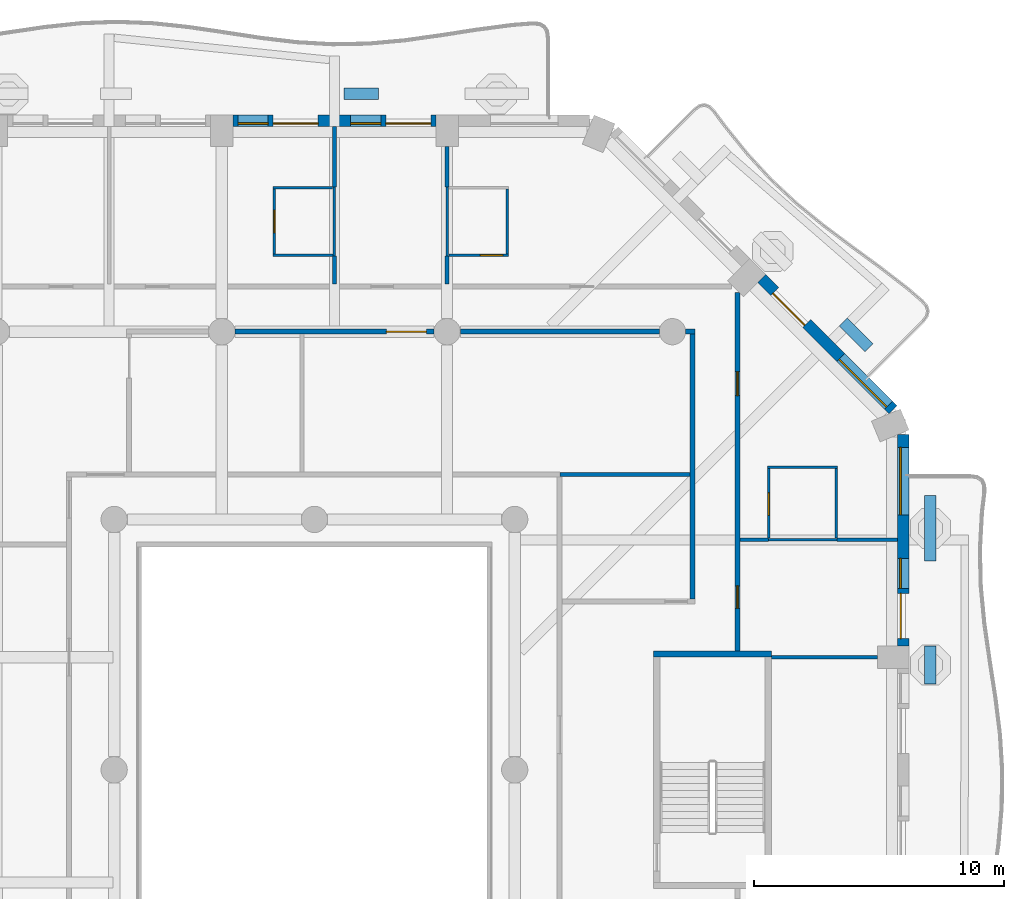
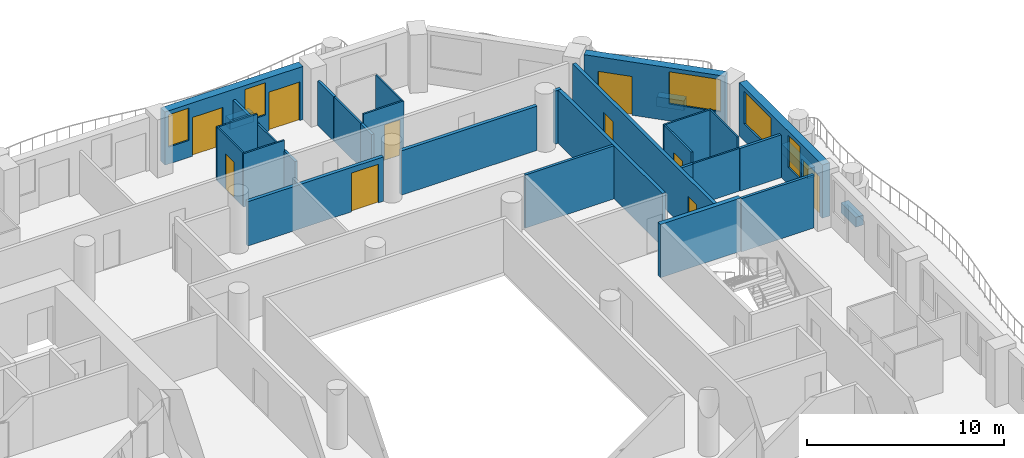
# One storey, part 9 of 20: 32 walls, 10 doors, 5 windows, 15 openings.
"""IFC4 building model written with IfcOpenShell, lengths in metres."""

import ifcopenshell
import ifcopenshell.guid

model = None  # the IFC model being written
_history = None  # IfcOwnerHistory: only IFC2X3 demands one
_inside = {}  # id of a spatial element -> (the spatial element, [elements in it])
_under = {}  # id of a project, library or spatial element -> (it, [spatial elements below it])
_declared = {}  # id of a project -> (the project, [libraries it declares])
_typed = {}  # id of a type object -> (the type object, [elements of that type])
_made_of = {}  # id of a material, layer set ... -> (it, [elements and type objects made of it])


def new_model(schema):
    """Start an empty IFC model of exactly this schema.

    Asked for "IFC4X3", IfcOpenShell would pick the latest addendum, in which some entities
    have other attributes; the version numbers below select the first issue.
    IFC2X3 requires an IfcOwnerHistory on every rooted entity: one is made here for all.
    """
    global model, _history
    if schema == "IFC4X3":
        model = ifcopenshell.file(schema_version=(4, 3, 0, 0))
    else:
        model = ifcopenshell.file(schema=schema)
    _inside.clear()
    _under.clear()
    _declared.clear()
    _typed.clear()
    _made_of.clear()
    _history = None
    if model.schema == "IFC2X3":
        org = make("IfcOrganization", Name="unknown")
        user = make(
            "IfcPersonAndOrganization",
            ThePerson=make("IfcPerson", FamilyName="unknown"),
            TheOrganization=org,
        )
        app = make(
            "IfcApplication",
            ApplicationDeveloper=org,
            Version="unknown",
            ApplicationFullName="unknown",
            ApplicationIdentifier="unknown",
        )
        _history = make(
            "IfcOwnerHistory",
            OwningUser=user,
            OwningApplication=app,
            ChangeAction="ADDED",
            CreationDate=0,
        )
    return model


def make(cls, **values):
    """One entity of the class cls with the attributes given. An attribute that is None is left unset."""
    return model.create_entity(
        cls, **{name: value for name, value in values.items() if value is not None}
    )


def rooted(cls, **values):
    """An entity with a GlobalId (a new one), such as an element, a storey or a relation."""
    return make(cls, GlobalId=ifcopenshell.guid.new(), OwnerHistory=_history, **values)


def si_unit(unit_type, name, prefix=None):
    """IfcSIUnit, for example si_unit("LENGTHUNIT", "METRE", prefix="MILLI")."""
    return make("IfcSIUnit", UnitType=unit_type, Prefix=prefix, Name=name)


def assignment(units):
    """IfcUnitAssignment: the units of a project."""
    return None if units is None else make("IfcUnitAssignment", Units=units)


def point(xyz):
    """IfcCartesianPoint."""
    return None if xyz is None else make("IfcCartesianPoint", Coordinates=xyz)


def direction(xyz):
    """IfcDirection."""
    return None if xyz is None else make("IfcDirection", DirectionRatios=xyz)


def frame(location, z_axis=None, x_axis=None):
    """IfcAxis2Placement3D, a coordinate frame: its origin and axes. An axis left out is left unset."""
    return make(
        "IfcAxis2Placement3D",
        Location=point(location),
        Axis=direction(z_axis),
        RefDirection=direction(x_axis),
    )


def frame_2d(location, x_axis=None):
    """IfcAxis2Placement2D, a coordinate frame in the plane: its origin and x axis."""
    return make(
        "IfcAxis2Placement2D", Location=point(location), RefDirection=direction(x_axis)
    )


def origin():
    """The frame at (0, 0, 0) with its axes left unset."""
    return frame((0.0, 0.0, 0.0))


def place(relative_to, where):
    """IfcLocalPlacement: puts the frame where relative to a parent placement (None: the world)."""
    return make(
        "IfcLocalPlacement", PlacementRelTo=relative_to, RelativePlacement=where
    )


def context(
    kind, dimensions, precision=None, world=None, true_north=None, identifier=None
):
    """IfcGeometricRepresentationContext, for example the 3D "Model" context."""
    return make(
        "IfcGeometricRepresentationContext",
        ContextIdentifier=identifier,
        ContextType=kind,
        CoordinateSpaceDimension=dimensions,
        Precision=precision,
        WorldCoordinateSystem=world,
        TrueNorth=true_north,
    )


def subcontext(parent, identifier, kind, view, scale=None):
    """IfcGeometricRepresentationSubContext, for example "Body" below "Model"."""
    return make(
        "IfcGeometricRepresentationSubContext",
        ContextIdentifier=identifier,
        ContextType=kind,
        ParentContext=parent,
        TargetScale=scale,
        TargetView=view,
    )


def project(units=None, contexts=None):
    """IfcProject with its units and contexts."""
    return rooted(
        "IfcProject",
        Name="project",
        RepresentationContexts=contexts,
        UnitsInContext=assignment(units),
    )


def spatial(cls, under=None, at=None, **own):
    """A site, building, storey or space (cls), placed at a placement, below another one or the project."""
    s = rooted(cls, ObjectPlacement=at, **own)
    if under is not None:
        _under.setdefault(under.id(), (under, []))[1].append(s)
    return s


def profile(cls, at=None, kind="AREA", **sizes):
    """A parametric profile (cls). Its sizes go by their IFC names, for example OverallWidth=200.0."""
    return make(cls, ProfileType=kind, Position=at, **sizes)


def rectangle(**sizes):
    """IfcRectangleProfileDef."""
    return profile("IfcRectangleProfileDef", **sizes)


def extrude(swept, where, along, depth):
    """IfcExtrudedAreaSolid: the profile swept, set in the frame where, extruded along a direction by depth."""
    return make(
        "IfcExtrudedAreaSolid",
        SweptArea=swept,
        Position=where,
        ExtrudedDirection=direction(along),
        Depth=depth,
    )


def shape(context_of_items, identifier, shape_type, items):
    """IfcShapeRepresentation: the items that make up one representation, for example the "Body"."""
    return make(
        "IfcShapeRepresentation",
        ContextOfItems=context_of_items,
        RepresentationIdentifier=identifier,
        RepresentationType=shape_type,
        Items=items,
    )


def material(Name=None, Category=None):
    """IfcMaterial."""
    return make("IfcMaterial", Name=Name, Category=Category)


def layer(
    of_material, thickness, ventilated=None, Name=None, Category=None, Priority=None
):
    """IfcMaterialLayer: one layer of a wall or slab, of a material (None: an air gap)."""
    return make(
        "IfcMaterialLayer",
        Material=of_material,
        LayerThickness=thickness,
        IsVentilated=ventilated,
        Name=Name,
        Category=Category,
        Priority=Priority,
    )


def layer_set(layers, Name=None):
    """IfcMaterialLayerSet."""
    return make("IfcMaterialLayerSet", MaterialLayers=layers, LayerSetName=Name)


def made_of(thing, what):
    """Note that an element or type object is made of a material, layer set ...; save() writes the relation."""
    if what is not None:
        _made_of.setdefault(what.id(), (what, []))[1].append(thing)
    return thing


def type_object(cls, material=None, **own):
    """A type object (cls), such as IfcWallType, which elements share."""
    return made_of(rooted(cls, **own), material)


def element(
    cls,
    number,
    at=None,
    inside=None,
    cuts=None,
    type_object=None,
    material=None,
    context=None,
    identifier="Body",
    shape_type=None,
    held_by="IfcProductDefinitionShape",
    body=None,
    shapes=None,
    **own,
):
    """One element of the class cls, such as IfcWall. Its Tag is "e" and its number.

    at: its placement. inside: the storey or other place that contains it. cuts: it is an
    opening in that element (IfcRelVoidsElement). A single representation is given by context,
    identifier, shape_type and body (its items); several are given by shapes. held_by: the class
    of the entity that holds the representations. save() writes the other relations.
    """
    e = rooted(cls, Tag="e%d" % number, ObjectPlacement=at, **own)
    if body is not None:
        shapes = [shape(context, identifier, shape_type, body)]
    if shapes is not None:
        e.Representation = make(held_by, Representations=shapes)
    if inside is not None:
        _inside.setdefault(inside.id(), (inside, []))[1].append(e)
    if cuts is not None:
        rooted(
            "IfcRelVoidsElement", RelatingBuildingElement=cuts, RelatedOpeningElement=e
        )
    if type_object is not None:
        _typed.setdefault(type_object.id(), (type_object, []))[1].append(e)
    return made_of(e, material)


def fill(opening, filler):
    """IfcRelFillsElement: the door or window that sits in an opening."""
    return rooted(
        "IfcRelFillsElement",
        RelatingOpeningElement=opening,
        RelatedBuildingElement=filler,
    )


def aggregate(whole, parts):
    """IfcRelAggregates: a whole, such as a stair, and the parts it consists of."""
    return rooted("IfcRelAggregates", RelatingObject=whole, RelatedObjects=parts)


def save(model, path):
    """Write the relations noted so far, then the file.

    IfcRelAggregates (storeys below a building ...), IfcRelContainedInSpatialStructure (elements
    in a storey), IfcRelDefinesByType, IfcRelAssociatesMaterial and IfcRelDeclares: one each for
    every whole, place, type object, material and project.
    """
    for whole, parts in _under.values():
        aggregate(whole, parts)
    for where, things in _inside.values():
        rooted(
            "IfcRelContainedInSpatialStructure",
            RelatedElements=things,
            RelatingStructure=where,
        )
    for kind, things in _typed.values():
        rooted("IfcRelDefinesByType", RelatedObjects=things, RelatingType=kind)
    for what, things in _made_of.values():
        rooted("IfcRelAssociatesMaterial", RelatedObjects=things, RelatingMaterial=what)
    for by, libraries in _declared.values():
        rooted("IfcRelDeclares", RelatingContext=by, RelatedDefinitions=libraries)
    model.write(path)


model = new_model("IFC4")

# Units and contexts
model_context = context("Model", 3, precision=1e-05, world=origin(), true_north=direction((0.0, 1.0)))
body_context = subcontext(model_context, "Body", "Model", "MODEL_VIEW")
ifc_project = project(units=[si_unit("LENGTHUNIT", "METRE"), si_unit("AREAUNIT", "SQUARE_METRE"), si_unit("VOLUMEUNIT", "CUBIC_METRE"), si_unit("PLANEANGLEUNIT", "RADIAN"), si_unit("MASSUNIT", "GRAM", prefix="KILO")], contexts=[model_context])

# Site, building, storey
site_placement = place(None, origin())
site = spatial("IfcSite", under=ifc_project, at=site_placement, CompositionType="ELEMENT")
building_placement = place(site_placement, origin())
building = spatial("IfcBuilding", under=site, at=building_placement, Name="Cypress Arch Tower", CompositionType="ELEMENT")
storey_placement = place(building_placement, frame((0.0, 0.0, 120.300048828125)))
storey = spatial("IfcBuildingStorey", under=building, at=storey_placement, Name="L25", CompositionType="ELEMENT", Elevation=120.300048828125)

# Walls
ifc_material_1 = material(Name="Concrete C40/50, waterproofed", Category="concrete")
ifc_layer_1 = layer(ifc_material_1, 0.449951171875)
ifc_layer_set_1 = layer_set([ifc_layer_1], Name="Balcony planter wall PW450")
wall_type_1 = type_object("IfcWallType", Name="Balcony planter wall PW450", PredefinedType="SOLIDWALL", material=ifc_layer_set_1)
wall_1_placement = place(storey_placement, frame((25.60009765625, 3.42138671875, 0.0), z_axis=(0.0, 0.0, 1.0), x_axis=(0.0, 1.0, 0.0)))
element("IfcWall", 1, at=wall_1_placement, inside=storey, type_object=wall_type_1, Name="Balcony planter wall L25-A06.3", PredefinedType="SOLIDWALL", context=body_context, shape_type="SweptSolid", body=[
    extrude(rectangle(XDim=1.5224609375, YDim=0.449951171875, at=frame_2d((0.76123046875, 0.0))), origin(), (0.0, 0.0, 1.0), 0.599853515625),
])
wall_2_placement = place(storey_placement, frame((25.60009765625, 8.335693359375, 0.0), z_axis=(0.0, 0.0, 1.0), x_axis=(0.0, 1.0, 0.0)))
element("IfcWall", 2, at=wall_2_placement, inside=storey, type_object=wall_type_1, Name="Balcony planter wall L25-A06.4", PredefinedType="SOLIDWALL", context=body_context, shape_type="SweptSolid", body=[
    extrude(rectangle(XDim=2.6142578125, YDim=0.449951171875, at=frame_2d((1.30712890625, 0.0))), origin(), (0.0, 0.0, 1.0), 0.599853515625),
])
wall_3_placement = place(storey_placement, frame((23.150390625, 16.86376953125, 0.0), z_axis=(0.0, 0.0, 1.0), x_axis=(-0.707106781187, 0.707106781187, 0.0)))
element("IfcWall", 3, at=wall_3_placement, inside=storey, type_object=wall_type_1, Name="Balcony planter wall L25-A07.1", PredefinedType="SOLIDWALL", context=body_context, shape_type="SweptSolid", body=[
    extrude(rectangle(XDim=1.44482421875, YDim=0.449951171875, at=frame_2d((0.722412109375, 0.0))), origin(), (0.0, 0.0, 1.0), 0.599853515625),
])
wall_4_placement = place(storey_placement, frame((3.550048828125, 27.0, 0.0), z_axis=(0.0, 0.0, 1.0), x_axis=(-1.0, 0.0, 0.0)))
element("IfcWall", 4, at=wall_4_placement, inside=storey, type_object=wall_type_1, Name="Balcony planter wall L25-A08.2", PredefinedType="SOLIDWALL", context=body_context, shape_type="SweptSolid", body=[
    extrude(rectangle(XDim=1.375, YDim=0.449951171875, at=frame_2d((0.6875, 0.0))), origin(), (0.0, 0.0, 1.0), 0.599853515625),
])

# Wall, openings, door, windows
ifc_material_2 = material(Name="Brick (red buff blend)", Category="masonry")
ifc_layer_2 = layer(ifc_material_2, 0.449951171875)
ifc_layer_set_2 = layer_set([ifc_layer_2], Name="Brick pier and spandrel wall BW450")
wall_type_2 = type_object("IfcWallType", Name="Brick pier and spandrel wall BW450", PredefinedType="SOLIDWALL", material=ifc_layer_set_2)
wall_5_placement = place(storey_placement, frame((24.52490234375, 4.949951171875, 0.0), z_axis=(0.0, 0.0, 1.0), x_axis=(0.0, 1.0, 0.0)))
wall_5 = element("IfcWall", 5, at=wall_5_placement, inside=storey, type_object=wall_type_2, Name="Brick wall L25 A06.3", PredefinedType="SOLIDWALL", context=body_context, shape_type="SweptSolid", body=[
    extrude(rectangle(XDim=8.438720703125, YDim=0.449951171875, at=frame_2d((4.21923828125, 0.0))), origin(), (0.0, 0.0, 1.0), 3.300048828125),
])
opening_1_placement = place(wall_5_placement, frame((0.2939453125, 0.0, 0.0)))
opening_1 = element("IfcOpeningElement", 6, at=opening_1_placement, cuts=wall_5, Name="Opening D-L25-A06.3.1", PredefinedType="OPENING", context=body_context, shape_type="SweptSolid", body=[
    extrude(rectangle(XDim=1.800048828125, YDim=2.39990234375, at=frame_2d((0.89990234375, 1.199951171875))), frame((0.0, 0.23486328125, 0.0), z_axis=(0.0, -1.0, 0.0), x_axis=(1.0, 0.0, 0.0)), (0.0, 0.0, 1.0), 0.469970703125),
])
opening_2_placement = place(wall_5_placement, frame((2.2939453125, 0.0, 1.050048828125)))
opening_2 = element("IfcOpeningElement", 7, at=opening_2_placement, cuts=wall_5, Name="Opening W120HD", PredefinedType="OPENING", context=body_context, shape_type="SweptSolid", body=[
    extrude(rectangle(XDim=1.199951171875, YDim=2.0, at=frame_2d((0.60009765625, 1.0))), frame((0.0, 0.23486328125, 0.0), z_axis=(0.0, -1.0, 0.0), x_axis=(1.0, 0.0, 0.0)), (0.0, 0.0, 1.0), 0.469970703125),
])
opening_3_placement = place(wall_5_placement, frame((5.231689453125, 0.0, 1.050048828125)))
opening_3 = element("IfcOpeningElement", 8, at=opening_3_placement, cuts=wall_5, Name="Opening W270HD", PredefinedType="OPENING", context=body_context, shape_type="SweptSolid", body=[
    extrude(rectangle(XDim=2.699951171875, YDim=2.0, at=frame_2d((1.35009765625, 1.0))), frame((0.0, 0.23486328125, 0.0), z_axis=(0.0, -1.0, 0.0), x_axis=(1.0, 0.0, 0.0)), (0.0, 0.0, 1.0), 0.469970703125),
])
ifc_material_3 = material(Name="Anodised aluminium, bronze finish, laminated low-emissivity double glazing, large-missile impact rated", Category="aluminium")
door_type_1 = type_object("IfcDoorType", Name="Balcony sliding door 1800x2400", OperationType="SLIDING_TO_LEFT", PredefinedType="DOOR", material=ifc_material_3)
door_1_placement = place(opening_1_placement, origin())
door_1 = element("IfcDoor", 9, at=door_1_placement, inside=storey, type_object=door_type_1, Name="Balcony door L25 A06.3.1", OperationType="SLIDING_TO_LEFT", OverallHeight=2.39990234375, OverallWidth=1.800048828125, PredefinedType="DOOR", context=body_context, shape_type="SweptSolid", body=[
    extrude(rectangle(XDim=1.800048828125, YDim=2.39990234375, at=frame_2d((0.89990234375, 1.199951171875))), frame((0.0, 0.1298828125, 0.0), z_axis=(0.0, -1.0, 0.0), x_axis=(1.0, 0.0, 0.0)), (0.0, 0.0, 1.0), 0.050048828125),
])
fill(opening_1, door_1)
ifc_material_4 = material(Name="Anodised aluminium, bronze finish, laminated low-emissivity double glazing, large-missile impact rated", Category="aluminium")
window_type_1 = type_object("IfcWindowType", Name="Window Hotel 1200x2000 debris-rated", PartitioningType="SINGLE_PANEL", PredefinedType="WINDOW", material=ifc_material_4)
window_1_placement = place(opening_2_placement, origin())
window_1 = element("IfcWindow", 10, at=window_1_placement, inside=storey, type_object=window_type_1, Name="Window L25 A06.3.1", OverallHeight=2.0, OverallWidth=1.199951171875, PartitioningType="SINGLE_PANEL", PredefinedType="WINDOW", context=body_context, shape_type="SweptSolid", body=[
    extrude(rectangle(XDim=1.199951171875, YDim=2.0, at=frame_2d((0.60009765625, 1.0))), frame((0.0, 0.135009765625, 0.0), z_axis=(0.0, -1.0, 0.0), x_axis=(1.0, 0.0, 0.0)), (0.0, 0.0, 1.0), 0.06005859375),
])
fill(opening_2, window_1)
ifc_material_5 = material(Name="Anodised aluminium, bronze finish, laminated low-emissivity double glazing, large-missile impact rated", Category="aluminium")
window_type_2 = type_object("IfcWindowType", Name="Window Hotel 2700x2000 debris-rated", PartitioningType="SINGLE_PANEL", PredefinedType="WINDOW", material=ifc_material_5)
window_2_placement = place(opening_3_placement, origin())
window_2 = element("IfcWindow", 11, at=window_2_placement, inside=storey, type_object=window_type_2, Name="Window L25 A06.3.2", OverallHeight=2.0, OverallWidth=2.699951171875, PartitioningType="SINGLE_PANEL", PredefinedType="WINDOW", context=body_context, shape_type="SweptSolid", body=[
    extrude(rectangle(XDim=2.699951171875, YDim=2.0, at=frame_2d((1.35009765625, 1.0))), frame((0.0, 0.135009765625, 0.0), z_axis=(0.0, -1.0, 0.0), x_axis=(1.0, 0.0, 0.0)), (0.0, 0.0, 1.0), 0.06005859375),
])
fill(opening_3, window_2)

# Wall, openings, door, window
wall_6_placement = place(storey_placement, frame((24.11474609375, 14.379150390625, 0.0), z_axis=(0.0, 0.0, 1.0), x_axis=(-0.707106781187, 0.707106781187, 0.0)))
wall_6 = element("IfcWall", 12, at=wall_6_placement, inside=storey, type_object=wall_type_2, Name="Brick wall L25 A07.0", PredefinedType="SOLIDWALL", context=body_context, shape_type="SweptSolid", body=[
    extrude(rectangle(XDim=7.423828125, YDim=0.449951171875, at=frame_2d((3.7119140625, 0.0))), origin(), (0.0, 0.0, 1.0), 3.300048828125),
])
opening_4_placement = place(wall_6_placement, frame((0.253173828125, 0.0, 1.050048828125)))
opening_4 = element("IfcOpeningElement", 13, at=opening_4_placement, cuts=wall_6, Name="Opening W270HD", PredefinedType="OPENING", context=body_context, shape_type="SweptSolid", body=[
    extrude(rectangle(XDim=2.699951171875, YDim=2.0, at=frame_2d((1.35009765625, 1.0))), frame((0.0, 0.23486328125, 0.0), z_axis=(0.0, -1.0, 0.0), x_axis=(1.0, 0.0, 0.0)), (0.0, 0.0, 1.0), 0.469970703125),
])
opening_5_placement = place(wall_6_placement, frame((4.8837890625, 0.0, 0.0)))
opening_5 = element("IfcOpeningElement", 14, at=opening_5_placement, cuts=wall_6, Name="Opening D-L25-A07.0.2", PredefinedType="OPENING", context=body_context, shape_type="SweptSolid", body=[
    extrude(rectangle(XDim=1.800048828125, YDim=2.39990234375, at=frame_2d((0.89990234375, 1.199951171875))), frame((0.0, 0.23486328125, 0.0), z_axis=(0.0, -1.0, 0.0), x_axis=(1.0, 0.0, 0.0)), (0.0, 0.0, 1.0), 0.469970703125),
])
door_2_placement = place(opening_5_placement, origin())
door_2 = element("IfcDoor", 15, at=door_2_placement, inside=storey, type_object=door_type_1, Name="Balcony door L25 A07.0.2", OperationType="SLIDING_TO_LEFT", OverallHeight=2.39990234375, OverallWidth=1.800048828125, PredefinedType="DOOR", context=body_context, shape_type="SweptSolid", body=[
    extrude(rectangle(XDim=1.800048828125, YDim=2.39990234375, at=frame_2d((0.89990234375, 1.199951171875))), frame((0.0, 0.1298828125, 0.0), z_axis=(0.0, -1.0, 0.0), x_axis=(1.0, 0.0, 0.0)), (0.0, 0.0, 1.0), 0.050048828125),
])
fill(opening_5, door_2)
window_3_placement = place(opening_4_placement, origin())
window_3 = element("IfcWindow", 16, at=window_3_placement, inside=storey, type_object=window_type_2, Name="Window L25 A07.0.1", OverallHeight=2.0, OverallWidth=2.699951171875, PartitioningType="SINGLE_PANEL", PredefinedType="WINDOW", context=body_context, shape_type="SweptSolid", body=[
    extrude(rectangle(XDim=2.699951171875, YDim=2.0, at=frame_2d((1.35009765625, 1.0))), frame((0.0, 0.135009765625, 0.0), z_axis=(0.0, -1.0, 0.0), x_axis=(1.0, 0.0, 0.0)), (0.0, 0.0, 1.0), 0.06005859375),
])
fill(opening_4, window_3)

# Wall, openings, doors, windows
wall_7_placement = place(storey_placement, frame((5.85009765625, 25.925048828125, 0.0), z_axis=(0.0, 0.0, 1.0), x_axis=(-1.0, 0.0, 0.0)))
wall_7 = element("IfcWall", 17, at=wall_7_placement, inside=storey, type_object=wall_type_2, Name="Brick wall L25 A08.1", PredefinedType="SOLIDWALL", context=body_context, shape_type="SweptSolid", body=[
    extrude(rectangle(XDim=8.10009765625, YDim=0.449951171875, at=frame_2d((4.050048828125, 0.0))), origin(), (0.0, 0.0, 1.0), 3.300048828125),
])
opening_6_placement = place(wall_7_placement, frame((0.199951171875, 0.0, 0.0)))
opening_6 = element("IfcOpeningElement", 18, at=opening_6_placement, cuts=wall_7, Name="Opening D-L25-A08.1.1", PredefinedType="OPENING", context=body_context, shape_type="SweptSolid", body=[
    extrude(rectangle(XDim=1.800048828125, YDim=2.39990234375, at=frame_2d((0.89990234375, 1.199951171875))), frame((0.0, 0.23486328125, 0.0), z_axis=(0.0, -1.0, 0.0), x_axis=(1.0, 0.0, 0.0)), (0.0, 0.0, 1.0), 0.469970703125),
])
opening_7_placement = place(wall_7_placement, frame((2.199951171875, 0.0, 1.050048828125)))
opening_7 = element("IfcOpeningElement", 19, at=opening_7_placement, cuts=wall_7, Name="Opening W120HD", PredefinedType="OPENING", context=body_context, shape_type="SweptSolid", body=[
    extrude(rectangle(XDim=1.199951171875, YDim=2.0, at=frame_2d((0.60009765625, 1.0))), frame((0.0, 0.23486328125, 0.0), z_axis=(0.0, -1.0, 0.0), x_axis=(1.0, 0.0, 0.0)), (0.0, 0.0, 1.0), 0.469970703125),
])
opening_8_placement = place(wall_7_placement, frame((4.699951171875, 0.0, 0.0)))
opening_8 = element("IfcOpeningElement", 20, at=opening_8_placement, cuts=wall_7, Name="Opening D-L25-A08.1.2", PredefinedType="OPENING", context=body_context, shape_type="SweptSolid", body=[
    extrude(rectangle(XDim=1.800048828125, YDim=2.39990234375, at=frame_2d((0.89990234375, 1.199951171875))), frame((0.0, 0.23486328125, 0.0), z_axis=(0.0, -1.0, 0.0), x_axis=(1.0, 0.0, 0.0)), (0.0, 0.0, 1.0), 0.469970703125),
])
opening_9_placement = place(wall_7_placement, frame((6.699951171875, 0.0, 1.050048828125)))
opening_9 = element("IfcOpeningElement", 21, at=opening_9_placement, cuts=wall_7, Name="Opening W120HD", PredefinedType="OPENING", context=body_context, shape_type="SweptSolid", body=[
    extrude(rectangle(XDim=1.199951171875, YDim=2.0, at=frame_2d((0.60009765625, 1.0))), frame((0.0, 0.23486328125, 0.0), z_axis=(0.0, -1.0, 0.0), x_axis=(1.0, 0.0, 0.0)), (0.0, 0.0, 1.0), 0.469970703125),
])
door_3_placement = place(opening_6_placement, origin())
door_3 = element("IfcDoor", 22, at=door_3_placement, inside=storey, type_object=door_type_1, Name="Balcony door L25 A08.1.1", OperationType="SLIDING_TO_LEFT", OverallHeight=2.39990234375, OverallWidth=1.800048828125, PredefinedType="DOOR", context=body_context, shape_type="SweptSolid", body=[
    extrude(rectangle(XDim=1.800048828125, YDim=2.39990234375, at=frame_2d((0.89990234375, 1.199951171875))), frame((0.0, 0.1298828125, 0.0), z_axis=(0.0, -1.0, 0.0), x_axis=(1.0, 0.0, 0.0)), (0.0, 0.0, 1.0), 0.050048828125),
])
fill(opening_6, door_3)
door_4_placement = place(opening_8_placement, origin())
door_4 = element("IfcDoor", 23, at=door_4_placement, inside=storey, type_object=door_type_1, Name="Balcony door L25 A08.1.2", OperationType="SLIDING_TO_LEFT", OverallHeight=2.39990234375, OverallWidth=1.800048828125, PredefinedType="DOOR", context=body_context, shape_type="SweptSolid", body=[
    extrude(rectangle(XDim=1.800048828125, YDim=2.39990234375, at=frame_2d((0.89990234375, 1.199951171875))), frame((0.0, 0.1298828125, 0.0), z_axis=(0.0, -1.0, 0.0), x_axis=(1.0, 0.0, 0.0)), (0.0, 0.0, 1.0), 0.050048828125),
])
fill(opening_8, door_4)
window_4_placement = place(opening_7_placement, origin())
window_4 = element("IfcWindow", 24, at=window_4_placement, inside=storey, type_object=window_type_1, Name="Window L25 A08.1.1", OverallHeight=2.0, OverallWidth=1.199951171875, PartitioningType="SINGLE_PANEL", PredefinedType="WINDOW", context=body_context, shape_type="SweptSolid", body=[
    extrude(rectangle(XDim=1.199951171875, YDim=2.0, at=frame_2d((0.60009765625, 1.0))), frame((0.0, 0.135009765625, 0.0), z_axis=(0.0, -1.0, 0.0), x_axis=(1.0, 0.0, 0.0)), (0.0, 0.0, 1.0), 0.06005859375),
])
fill(opening_7, window_4)
window_5_placement = place(opening_9_placement, origin())
window_5 = element("IfcWindow", 25, at=window_5_placement, inside=storey, type_object=window_type_1, Name="Window L25 A08.1.2", OverallHeight=2.0, OverallWidth=1.199951171875, PartitioningType="SINGLE_PANEL", PredefinedType="WINDOW", context=body_context, shape_type="SweptSolid", body=[
    extrude(rectangle(XDim=1.199951171875, YDim=2.0, at=frame_2d((0.60009765625, 1.0))), frame((0.0, 0.135009765625, 0.0), z_axis=(0.0, -1.0, 0.0), x_axis=(1.0, 0.0, 0.0)), (0.0, 0.0, 1.0), 0.06005859375),
])
fill(opening_9, window_5)

# Wall, opening, door
ifc_material_6 = material(Name="Concrete blockwork, plastered, rated", Category="masonry")
ifc_layer_3 = layer(ifc_material_6, 0.199951171875)
ifc_layer_set_3 = layer_set([ifc_layer_3], Name="Corridor wall FW200")
wall_type_3 = type_object("IfcWallType", Name="Corridor wall FW200", PredefinedType="PARTITIONING", material=ifc_layer_set_3)
wall_8_placement = place(storey_placement, frame((-2.175048828125, 17.5, 0.0), z_axis=(0.0, 0.0, 1.0), x_axis=(1.0, 0.0, 0.0)))
wall_8 = element("IfcWall", 26, at=wall_8_placement, inside=storey, type_object=wall_type_3, Name="Corridor wall", PredefinedType="PARTITIONING", context=body_context, shape_type="SweptSolid", body=[
    extrude(rectangle(XDim=7.949951171875, YDim=0.199951171875, at=frame_2d((3.97509765625, 0.0))), origin(), (0.0, 0.0, 1.0), 2.75),
])
opening_10_placement = place(wall_8_placement, frame((6.050048828125, 0.0, 0.0)))
opening_10 = element("IfcOpeningElement", 27, at=opening_10_placement, cuts=wall_8, Name="Opening D10", PredefinedType="OPENING", context=body_context, shape_type="SweptSolid", body=[
    extrude(rectangle(XDim=1.60009765625, YDim=2.39990234375, at=frame_2d((0.800048828125, 1.199951171875))), frame((0.0, 0.10986328125, 0.0), z_axis=(0.0, -1.0, 0.0), x_axis=(1.0, 0.0, 0.0)), (0.0, 0.0, 1.0), 0.219970703125),
])
ifc_material_7 = material(Name="Black aluminium glazed door", Category="aluminium")
door_type_2 = type_object("IfcDoorType", Name="Amenity door D10 1600x2400", OperationType="DOUBLE_DOOR_SINGLE_SWING", PredefinedType="DOOR", material=ifc_material_7)
door_5_placement = place(opening_10_placement, origin())
door_5 = element("IfcDoor", 28, at=door_5_placement, inside=storey, type_object=door_type_2, Name="Amenity door", OperationType="DOUBLE_DOOR_SINGLE_SWING", OverallHeight=2.39990234375, OverallWidth=1.60009765625, PredefinedType="DOOR", context=body_context, shape_type="SweptSolid", body=[
    extrude(rectangle(XDim=1.60009765625, YDim=2.39990234375, at=frame_2d((0.800048828125, 1.199951171875))), frame((0.0, 0.02490234375, 0.0), z_axis=(0.0, -1.0, 0.0), x_axis=(1.0, 0.0, 0.0)), (0.0, 0.0, 1.0), 0.050048828125),
])
fill(opening_10, door_5)

# Walls
wall_9_placement = place(storey_placement, frame((6.824951171875, 17.5, 0.0), z_axis=(0.0, 0.0, 1.0), x_axis=(1.0, 0.0, 0.0)))
element("IfcWall", 29, at=wall_9_placement, inside=storey, type_object=wall_type_3, Name="Corridor wall", PredefinedType="PARTITIONING", context=body_context, shape_type="SweptSolid", body=[
    extrude(rectangle(XDim=7.949951171875, YDim=0.199951171875, at=frame_2d((3.97509765625, 0.0))), origin(), (0.0, 0.0, 1.0), 2.75),
])
wall_10_placement = place(storey_placement, frame((15.824951171875, 17.5, 0.0), z_axis=(0.0, 0.0, 1.0), x_axis=(1.0, 0.0, 0.0)))
element("IfcWall", 30, at=wall_10_placement, inside=storey, type_object=wall_type_3, Name="Corridor wall", PredefinedType="PARTITIONING", context=body_context, shape_type="SweptSolid", body=[
    extrude(rectangle(XDim=0.375, YDim=0.199951171875, at=frame_2d((0.1875, 0.0))), origin(), (0.0, 0.0, 1.0), 3.300048828125),
])
wall_11_placement = place(storey_placement, frame((16.10009765625, 6.824951171875, 0.0), z_axis=(0.0, 0.0, 1.0), x_axis=(0.0, 1.0, 0.0)))
element("IfcWall", 31, at=wall_11_placement, inside=storey, type_object=wall_type_3, Name="Corridor wall", PredefinedType="PARTITIONING", context=body_context, shape_type="SweptSolid", body=[
    extrude(rectangle(XDim=10.574951171875, YDim=0.199951171875, at=frame_2d((5.28759765625, 0.0))), origin(), (0.0, 0.0, 1.0), 3.300048828125),
])

# Wall, openings, doors
wall_12_placement = place(storey_placement, frame((17.89990234375, 4.75, 0.0), z_axis=(0.0, 0.0, 1.0), x_axis=(0.0, 1.0, 0.0)))
wall_12 = element("IfcWall", 32, at=wall_12_placement, inside=storey, type_object=wall_type_3, Name="Corridor wall", PredefinedType="PARTITIONING", context=body_context, shape_type="SweptSolid", body=[
    extrude(rectangle(XDim=14.314453125, YDim=0.199951171875, at=frame_2d((7.1572265625, 0.0))), origin(), (0.0, 0.0, 1.0), 3.300048828125),
])
opening_11_placement = place(wall_12_placement, frame((1.699951171875, 0.0, 0.0)))
opening_11 = element("IfcOpeningElement", 33, at=opening_11_placement, cuts=wall_12, Name="Opening D05", PredefinedType="OPENING", context=body_context, shape_type="SweptSolid", body=[
    extrude(rectangle(XDim=0.89990234375, YDim=2.199951171875, at=frame_2d((0.449951171875, 1.10009765625))), frame((0.0, 0.10986328125, 0.0), z_axis=(0.0, -1.0, 0.0), x_axis=(1.0, 0.0, 0.0)), (0.0, 0.0, 1.0), 0.219970703125),
])
opening_12_placement = place(wall_12_placement, frame((10.199951171875, 0.0, 0.0)))
opening_12 = element("IfcOpeningElement", 34, at=opening_12_placement, cuts=wall_12, Name="Opening D02", PredefinedType="OPENING", context=body_context, shape_type="SweptSolid", body=[
    extrude(rectangle(XDim=0.949951171875, YDim=2.199951171875, at=frame_2d((0.47509765625, 1.10009765625))), frame((0.0, 0.10986328125, 0.0), z_axis=(0.0, -1.0, 0.0), x_axis=(1.0, 0.0, 0.0)), (0.0, 0.0, 1.0), 0.219970703125),
])
ifc_material_8 = material(Name="Timber flush door, fire resisting", Category="wood")
door_type_3 = type_object("IfcDoorType", Name="Room door D02 950x2200", OperationType="SINGLE_SWING_LEFT", PredefinedType="DOOR", material=ifc_material_8)
door_6_placement = place(opening_12_placement, origin())
door_6 = element("IfcDoor", 35, at=door_6_placement, inside=storey, type_object=door_type_3, Name="Room door", OperationType="SINGLE_SWING_LEFT", OverallHeight=2.199951171875, OverallWidth=0.949951171875, PredefinedType="DOOR", context=body_context, shape_type="SweptSolid", body=[
    extrude(rectangle(XDim=0.949951171875, YDim=2.199951171875, at=frame_2d((0.47509765625, 1.10009765625))), frame((0.0, 0.02490234375, 0.0), z_axis=(0.0, -1.0, 0.0), x_axis=(1.0, 0.0, 0.0)), (0.0, 0.0, 1.0), 0.050048828125),
])
fill(opening_12, door_6)
ifc_material_9 = material(Name="Timber flush door", Category="wood")
door_type_4 = type_object("IfcDoorType", Name="Service door D05 900x2200", OperationType="SINGLE_SWING_LEFT", PredefinedType="DOOR", material=ifc_material_9)
door_7_placement = place(opening_11_placement, origin())
door_7 = element("IfcDoor", 36, at=door_7_placement, inside=storey, type_object=door_type_4, Name="Service door", OperationType="SINGLE_SWING_RIGHT", OverallHeight=2.199951171875, OverallWidth=0.89990234375, PredefinedType="DOOR", context=body_context, shape_type="SweptSolid", body=[
    extrude(rectangle(XDim=0.89990234375, YDim=2.199951171875, at=frame_2d((0.449951171875, 1.10009765625))), frame((0.0, 0.02490234375, 0.0), z_axis=(0.0, -1.0, 0.0), x_axis=(1.0, 0.0, 0.0)), (0.0, 0.0, 1.0), 0.050048828125),
])
fill(opening_11, door_7)

# Walls
ifc_material_10 = material(Name="Blockwork, plastered both sides", Category="masonry")
ifc_layer_4 = layer(ifc_material_10, 0.14990234375)
ifc_layer_set_4 = layer_set([ifc_layer_4], Name="Partition PW150")
wall_type_4 = type_object("IfcWallType", Name="Partition PW150", PredefinedType="PARTITIONING", material=ifc_layer_set_4)
wall_13_placement = place(storey_placement, frame((1.800048828125, 19.39990234375, 0.0), z_axis=(0.0, 0.0, 1.0), x_axis=(0.0, 1.0, 0.0)))
element("IfcWall", 37, at=wall_13_placement, inside=storey, type_object=wall_type_4, Name="Partition", PredefinedType="PARTITIONING", context=body_context, shape_type="SweptSolid", body=[
    extrude(rectangle(XDim=1.130126953125, YDim=0.14990234375, at=frame_2d((0.56494140625, 0.0))), origin(), (0.0, 0.0, 1.0), 2.64990234375),
])
wall_14_placement = place(storey_placement, frame((1.800048828125, 23.27001953125, 0.0), z_axis=(0.0, 0.0, 1.0), x_axis=(0.0, 1.0, 0.0)))
element("IfcWall", 38, at=wall_14_placement, inside=storey, type_object=wall_type_4, Name="Partition", PredefinedType="PARTITIONING", context=body_context, shape_type="SweptSolid", body=[
    extrude(rectangle(XDim=2.429931640625, YDim=0.14990234375, at=frame_2d((1.21484375, 0.0))), origin(), (0.0, 0.0, 1.0), 2.64990234375),
])
wall_15_placement = place(storey_placement, frame((6.300048828125, 19.39990234375, 0.0), z_axis=(0.0, 0.0, 1.0), x_axis=(0.0, 1.0, 0.0)))
element("IfcWall", 39, at=wall_15_placement, inside=storey, type_object=wall_type_4, Name="Partition", PredefinedType="PARTITIONING", context=body_context, shape_type="SweptSolid", body=[
    extrude(rectangle(XDim=1.130126953125, YDim=0.14990234375, at=frame_2d((0.56494140625, 0.0))), origin(), (0.0, 0.0, 1.0), 2.75),
])
wall_16_placement = place(storey_placement, frame((6.300048828125, 23.27001953125, 0.0), z_axis=(0.0, 0.0, 1.0), x_axis=(0.0, 1.0, 0.0)))
element("IfcWall", 40, at=wall_16_placement, inside=storey, type_object=wall_type_4, Name="Partition", PredefinedType="PARTITIONING", context=body_context, shape_type="SweptSolid", body=[
    extrude(rectangle(XDim=1.6298828125, YDim=0.14990234375, at=frame_2d((0.81494140625, 0.0))), origin(), (0.0, 0.0, 1.0), 2.75),
])
wall_17_placement = place(storey_placement, frame((10.800048828125, 11.800048828125, 0.0), z_axis=(0.0, 0.0, 1.0), x_axis=(1.0, 0.0, 0.0)))
element("IfcWall", 41, at=wall_17_placement, inside=storey, type_object=wall_type_4, Name="Partition", PredefinedType="PARTITIONING", context=body_context, shape_type="SweptSolid", body=[
    extrude(rectangle(XDim=5.199951171875, YDim=0.14990234375, at=frame_2d((2.60009765625, 0.0))), origin(), (0.0, 0.0, 1.0), 3.300048828125),
])
wall_18_placement = place(storey_placement, frame((18.0, 9.18994140625, 0.0), z_axis=(0.0, 0.0, 1.0), x_axis=(1.0, 0.0, 0.0)))
element("IfcWall", 42, at=wall_18_placement, inside=storey, type_object=wall_type_4, Name="Partition", PredefinedType="PARTITIONING", context=body_context, shape_type="SweptSolid", body=[
    extrude(rectangle(XDim=1.1298828125, YDim=0.14990234375, at=frame_2d((0.56494140625, 0.0))), origin(), (0.0, 0.0, 1.0), 2.64990234375),
])
wall_19_placement = place(storey_placement, frame((19.25, 4.5, 0.0), z_axis=(0.0, 0.0, 1.0), x_axis=(1.0, 0.0, 0.0)))
element("IfcWall", 43, at=wall_19_placement, inside=storey, type_object=wall_type_4, Name="Partition", PredefinedType="PARTITIONING", context=body_context, shape_type="SweptSolid", body=[
    extrude(rectangle(XDim=4.25, YDim=0.14990234375, at=frame_2d((2.125, 0.0))), origin(), (0.0, 0.0, 1.0), 3.300048828125),
])
wall_20_placement = place(storey_placement, frame((21.8701171875, 9.18994140625, 0.0), z_axis=(0.0, 0.0, 1.0), x_axis=(1.0, 0.0, 0.0)))
element("IfcWall", 44, at=wall_20_placement, inside=storey, type_object=wall_type_4, Name="Partition", PredefinedType="PARTITIONING", context=body_context, shape_type="SweptSolid", body=[
    extrude(rectangle(XDim=2.429931640625, YDim=0.14990234375, at=frame_2d((1.21484375, 0.0))), origin(), (0.0, 0.0, 1.0), 2.64990234375),
])
ifc_material_11 = material(Name="Concrete C50/60", Category="concrete")
ifc_layer_5 = layer(ifc_material_11, 0.25)
ifc_layer_set_5 = layer_set([ifc_layer_5], Name="Stair enclosure wall SW250")
wall_type_5 = type_object("IfcWallType", Name="Stair enclosure wall SW250", PredefinedType="SHEAR", material=ifc_layer_set_5)
wall_21_placement = place(storey_placement, frame((14.550048828125, 4.625, 0.0), z_axis=(0.0, 0.0, 1.0), x_axis=(1.0, 0.0, 0.0)))
element("IfcWall", 45, at=wall_21_placement, inside=storey, type_object=wall_type_5, Name="Stair enclosure wall", PredefinedType="SHEAR", context=body_context, shape_type="SweptSolid", body=[
    extrude(rectangle(XDim=4.699951171875, YDim=0.25, at=frame_2d((2.35009765625, 0.0))), origin(), (0.0, 0.0, 1.0), 3.300048828125),
])

# Wall, opening, door
ifc_material_12 = material(Name="Moisture resistant board on steel studs, tiled", Category="steel")
ifc_layer_6 = layer(ifc_material_12, 0.10009765625)
ifc_layer_set_6 = layer_set([ifc_layer_6], Name="Wet wall PW100")
wall_type_6 = type_object("IfcWallType", Name="Wet wall PW100", PredefinedType="PARTITIONING", material=ifc_layer_set_6)
wall_22_placement = place(storey_placement, frame((-0.595947265625, 20.60009765625, 0.0), z_axis=(0.0, 0.0, 1.0), x_axis=(0.0, 1.0, 0.0)))
wall_22 = element("IfcWall", 46, at=wall_22_placement, inside=storey, type_object=wall_type_6, Name="Wet wall", PredefinedType="PARTITIONING", context=body_context, shape_type="SweptSolid", body=[
    extrude(rectangle(XDim=2.599853515625, YDim=0.10009765625, at=frame_2d((1.2998046875, 0.0))), origin(), (0.0, 0.0, 1.0), 3.300048828125),
])
opening_13_placement = place(wall_22_placement, frame((0.85009765625, 0.0, 0.0)))
opening_13 = element("IfcOpeningElement", 47, at=opening_13_placement, cuts=wall_22, Name="Opening D03", PredefinedType="OPENING", context=body_context, shape_type="SweptSolid", body=[
    extrude(rectangle(XDim=0.89990234375, YDim=2.199951171875, at=frame_2d((0.449951171875, 1.10009765625))), frame((0.0, 0.06005859375, 0.0), z_axis=(0.0, -1.0, 0.0), x_axis=(1.0, 0.0, 0.0)), (0.0, 0.0, 1.0), 0.1201171875),
])
ifc_material_13 = material(Name="Timber flush door, moisture resistant", Category="wood")
door_type_5 = type_object("IfcDoorType", Name="Bathroom door D03 900x2200", OperationType="SINGLE_SWING_LEFT", PredefinedType="DOOR", material=ifc_material_13)
door_8_placement = place(opening_13_placement, origin())
door_8 = element("IfcDoor", 48, at=door_8_placement, inside=storey, type_object=door_type_5, Name="Bathroom door", OperationType="SINGLE_SWING_LEFT", OverallHeight=2.199951171875, OverallWidth=0.89990234375, PredefinedType="DOOR", context=body_context, shape_type="SweptSolid", body=[
    extrude(rectangle(XDim=0.89990234375, YDim=2.199951171875, at=frame_2d((0.449951171875, 1.10009765625))), frame((0.0, 0.02490234375, 0.0), z_axis=(0.0, -1.0, 0.0), x_axis=(1.0, 0.0, 0.0)), (0.0, 0.0, 1.0), 0.050048828125),
])
fill(opening_13, door_8)

# Walls
wall_23_placement = place(storey_placement, frame((-0.64599609375, 20.550048828125, 0.0), z_axis=(0.0, 0.0, 1.0), x_axis=(1.0, 0.0, 0.0)))
element("IfcWall", 49, at=wall_23_placement, inside=storey, type_object=wall_type_6, Name="Wet wall", PredefinedType="PARTITIONING", context=body_context, shape_type="SweptSolid", body=[
    extrude(rectangle(XDim=2.39599609375, YDim=0.10009765625, at=frame_2d((1.197998046875, 0.0))), origin(), (0.0, 0.0, 1.0), 3.300048828125),
])
wall_24_placement = place(storey_placement, frame((-0.64599609375, 23.25, 0.0), z_axis=(0.0, 0.0, 1.0), x_axis=(1.0, 0.0, 0.0)))
element("IfcWall", 50, at=wall_24_placement, inside=storey, type_object=wall_type_6, Name="Wet wall", PredefinedType="PARTITIONING", context=body_context, shape_type="SweptSolid", body=[
    extrude(rectangle(XDim=2.37109375, YDim=0.10009765625, at=frame_2d((1.185546875, 0.0))), origin(), (0.0, 0.0, 1.0), 3.300048828125),
])
wall_25_placement = place(storey_placement, frame((1.800048828125, 20.530029296875, 0.0), z_axis=(0.0, 0.0, 1.0), x_axis=(0.0, 1.0, 0.0)))
element("IfcWall", 51, at=wall_25_placement, inside=storey, type_object=wall_type_6, Name="Wet wall", PredefinedType="PARTITIONING", context=body_context, shape_type="SweptSolid", body=[
    extrude(rectangle(XDim=2.739990234375, YDim=0.10009765625, at=frame_2d((1.3701171875, 0.0))), origin(), (0.0, 0.0, 1.0), 2.64990234375),
])
wall_26_placement = place(storey_placement, frame((6.300048828125, 20.530029296875, 0.0), z_axis=(0.0, 0.0, 1.0), x_axis=(0.0, 1.0, 0.0)))
element("IfcWall", 52, at=wall_26_placement, inside=storey, type_object=wall_type_6, Name="Wet wall", PredefinedType="PARTITIONING", context=body_context, shape_type="SweptSolid", body=[
    extrude(rectangle(XDim=2.739990234375, YDim=0.10009765625, at=frame_2d((1.3701171875, 0.0))), origin(), (0.0, 0.0, 1.0), 2.75),
])

# Wall, opening, door
wall_27_placement = place(storey_placement, frame((6.375, 20.550048828125, 0.0), z_axis=(0.0, 0.0, 1.0), x_axis=(1.0, 0.0, 0.0)))
wall_27 = element("IfcWall", 53, at=wall_27_placement, inside=storey, type_object=wall_type_6, Name="Wet wall", PredefinedType="PARTITIONING", context=body_context, shape_type="SweptSolid", body=[
    extrude(rectangle(XDim=2.37109375, YDim=0.10009765625, at=frame_2d((1.185546875, 0.0))), origin(), (0.0, 0.0, 1.0), 3.300048828125),
])
opening_14_placement = place(wall_27_placement, frame((1.25, 0.0, 0.0)))
opening_14 = element("IfcOpeningElement", 54, at=opening_14_placement, cuts=wall_27, Name="Opening D03", PredefinedType="OPENING", context=body_context, shape_type="SweptSolid", body=[
    extrude(rectangle(XDim=0.89990234375, YDim=2.199951171875, at=frame_2d((0.449951171875, 1.10009765625))), frame((0.0, 0.06005859375, 0.0), z_axis=(0.0, -1.0, 0.0), x_axis=(1.0, 0.0, 0.0)), (0.0, 0.0, 1.0), 0.1201171875),
])
door_9_placement = place(opening_14_placement, origin())
door_9 = element("IfcDoor", 55, at=door_9_placement, inside=storey, type_object=door_type_5, Name="Bathroom door", OperationType="SINGLE_SWING_RIGHT", OverallHeight=2.199951171875, OverallWidth=0.89990234375, PredefinedType="DOOR", context=body_context, shape_type="SweptSolid", body=[
    extrude(rectangle(XDim=0.89990234375, YDim=2.199951171875, at=frame_2d((0.449951171875, 1.10009765625))), frame((0.0, 0.02490234375, 0.0), z_axis=(0.0, -1.0, 0.0), x_axis=(1.0, 0.0, 0.0)), (0.0, 0.0, 1.0), 0.050048828125),
])
fill(opening_14, door_9)

# Walls
wall_28_placement = place(storey_placement, frame((8.696044921875, 20.60009765625, 0.0), z_axis=(0.0, 0.0, 1.0), x_axis=(0.0, 1.0, 0.0)))
element("IfcWall", 56, at=wall_28_placement, inside=storey, type_object=wall_type_6, Name="Wet wall", PredefinedType="PARTITIONING", context=body_context, shape_type="SweptSolid", body=[
    extrude(rectangle(XDim=2.599853515625, YDim=0.10009765625, at=frame_2d((1.2998046875, 0.0))), origin(), (0.0, 0.0, 1.0), 3.300048828125),
])
wall_29_placement = place(storey_placement, frame((19.1298828125, 9.18994140625, 0.0), z_axis=(0.0, 0.0, 1.0), x_axis=(1.0, 0.0, 0.0)))
element("IfcWall", 57, at=wall_29_placement, inside=storey, type_object=wall_type_6, Name="Wet wall", PredefinedType="PARTITIONING", context=body_context, shape_type="SweptSolid", body=[
    extrude(rectangle(XDim=2.740234375, YDim=0.10009765625, at=frame_2d((1.3701171875, 0.0))), origin(), (0.0, 0.0, 1.0), 2.64990234375),
])

# Wall, opening, door
wall_30_placement = place(storey_placement, frame((19.14990234375, 9.264892578125, 0.0), z_axis=(0.0, 0.0, 1.0), x_axis=(0.0, 1.0, 0.0)))
wall_30 = element("IfcWall", 58, at=wall_30_placement, inside=storey, type_object=wall_type_6, Name="Wet wall", PredefinedType="PARTITIONING", context=body_context, shape_type="SweptSolid", body=[
    extrude(rectangle(XDim=2.77099609375, YDim=0.10009765625, at=frame_2d((1.385498046875, 0.0))), origin(), (0.0, 0.0, 1.0), 3.300048828125),
])
opening_15_placement = place(wall_30_placement, frame((0.89990234375, 0.0, 0.0)))
opening_15 = element("IfcOpeningElement", 59, at=opening_15_placement, cuts=wall_30, Name="Opening D03", PredefinedType="OPENING", context=body_context, shape_type="SweptSolid", body=[
    extrude(rectangle(XDim=0.89990234375, YDim=2.199951171875, at=frame_2d((0.449951171875, 1.10009765625))), frame((0.0, 0.06005859375, 0.0), z_axis=(0.0, -1.0, 0.0), x_axis=(1.0, 0.0, 0.0)), (0.0, 0.0, 1.0), 0.1201171875),
])
door_10_placement = place(opening_15_placement, origin())
door_10 = element("IfcDoor", 60, at=door_10_placement, inside=storey, type_object=door_type_5, Name="Bathroom door", OperationType="SINGLE_SWING_RIGHT", OverallHeight=2.199951171875, OverallWidth=0.89990234375, PredefinedType="DOOR", context=body_context, shape_type="SweptSolid", body=[
    extrude(rectangle(XDim=0.89990234375, YDim=2.199951171875, at=frame_2d((0.449951171875, 1.10009765625))), frame((0.0, 0.02490234375, 0.0), z_axis=(0.0, -1.0, 0.0), x_axis=(1.0, 0.0, 0.0)), (0.0, 0.0, 1.0), 0.050048828125),
])
fill(opening_15, door_10)

# Walls
wall_31_placement = place(storey_placement, frame((19.10009765625, 12.0859375, 0.0), z_axis=(0.0, 0.0, 1.0), x_axis=(1.0, 0.0, 0.0)))
element("IfcWall", 61, at=wall_31_placement, inside=storey, type_object=wall_type_6, Name="Wet wall", PredefinedType="PARTITIONING", context=body_context, shape_type="SweptSolid", body=[
    extrude(rectangle(XDim=2.7998046875, YDim=0.10009765625, at=frame_2d((1.39990234375, 0.0))), origin(), (0.0, 0.0, 1.0), 3.300048828125),
])
wall_32_placement = place(storey_placement, frame((21.85009765625, 9.264892578125, 0.0), z_axis=(0.0, 0.0, 1.0), x_axis=(0.0, 1.0, 0.0)))
element("IfcWall", 62, at=wall_32_placement, inside=storey, type_object=wall_type_6, Name="Wet wall", PredefinedType="PARTITIONING", context=body_context, shape_type="SweptSolid", body=[
    extrude(rectangle(XDim=2.77099609375, YDim=0.10009765625, at=frame_2d((1.385498046875, 0.0))), origin(), (0.0, 0.0, 1.0), 3.300048828125),
])

save(model, "model.ifc")
